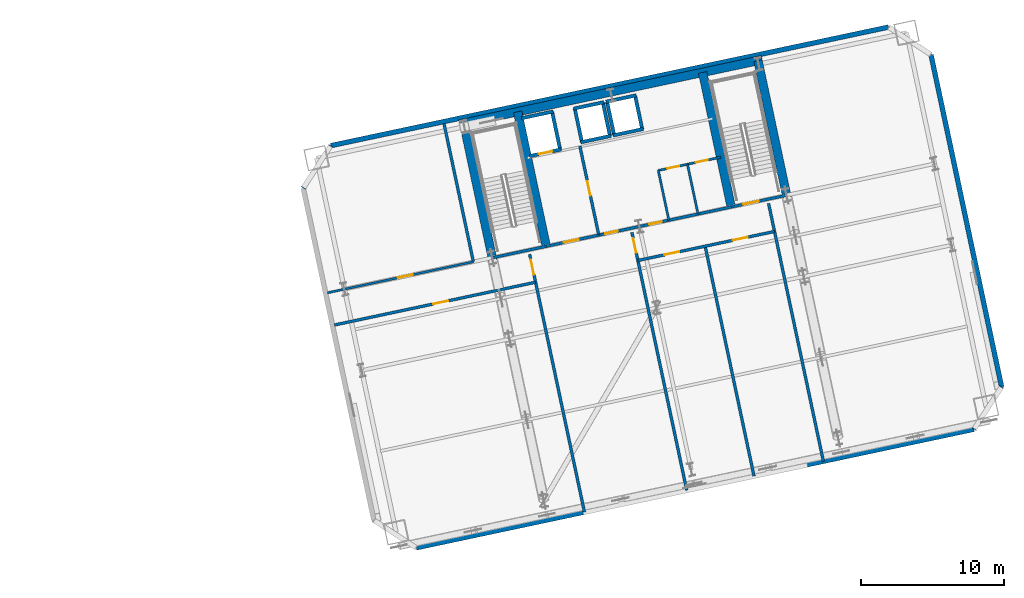
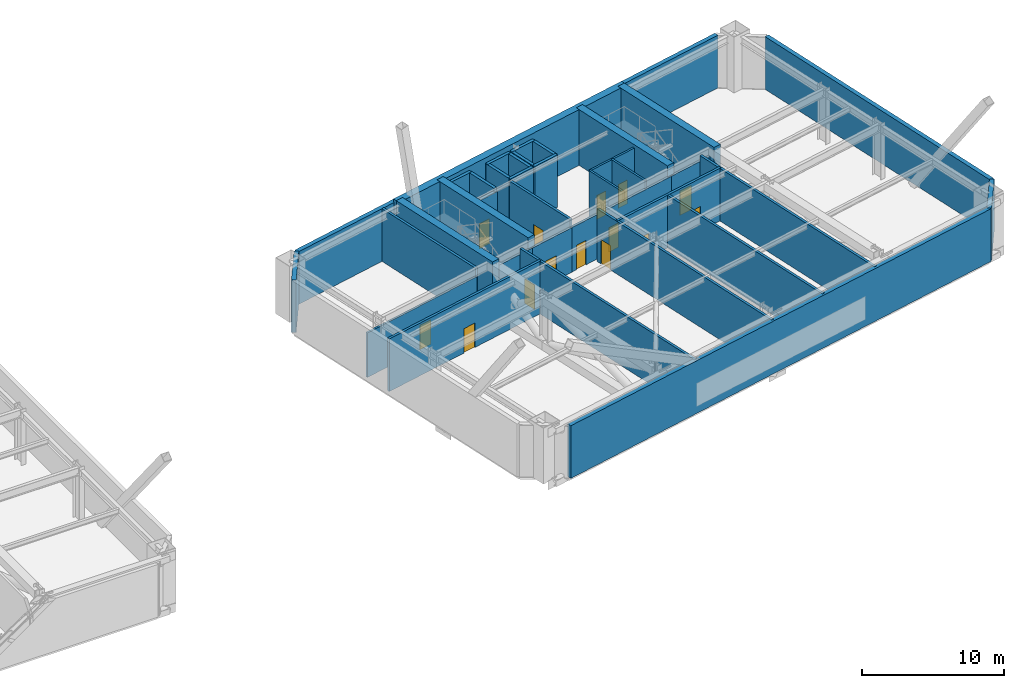
# One storey, part 10 of 17: 37 walls, 14 doors, 14 openings.
"""IFC4 building model written with IfcOpenShell, lengths in metres."""

from ifc_helpers import new_model, si_unit, direction, frame, frame_2d, origin, place, context, subcontext, project, spatial, rectangle, extrude, material, layer, layer_set, type_object, element, fill, save


model = new_model("IFC4")

# Units and contexts
model_context = context("Model", 3, precision=1e-05, world=origin(), true_north=direction((0.0, 1.0)))
body_context = subcontext(model_context, "Body", "Model", "MODEL_VIEW")
ifc_project = project(units=[si_unit("LENGTHUNIT", "METRE"), si_unit("AREAUNIT", "SQUARE_METRE"), si_unit("VOLUMEUNIT", "CUBIC_METRE"), si_unit("PLANEANGLEUNIT", "RADIAN"), si_unit("MASSUNIT", "GRAM", prefix="KILO")], contexts=[model_context])

# Site, building, storey
site_placement = place(None, origin())
site = spatial("IfcSite", under=ifc_project, at=site_placement, CompositionType="ELEMENT")
building_placement = place(site_placement, origin())
building = spatial("IfcBuilding", under=site, at=building_placement, Name="Haevon Station Towers", CompositionType="ELEMENT")
storey_placement = place(building_placement, frame((0.0, 0.0, 81.89990234375)))
storey = spatial("IfcBuildingStorey", under=building, at=storey_placement, Name="L21", CompositionType="ELEMENT", Elevation=81.89990234375)

# Wall
ifc_material_1 = material(Name="Gypsum board on steel stud", Category="steel")
ifc_layer_1 = layer(ifc_material_1, 0.199951171875)
ifc_layer_set_1 = layer_set([ifc_layer_1], Name="Gypsum board on steel stud")
wall_type_1 = type_object("IfcWallType", Name="WL-COR200", PredefinedType="PARTITIONING", material=ifc_layer_set_1)
wall_1_placement = place(storey_placement, frame((98.75244140625, 37.4423828125, 0.0), z_axis=(0.0, 0.0, 1.0), x_axis=(0.978143537786, 0.207930804564, 0.0)))
element("IfcWall", 1, at=wall_1_placement, inside=storey, type_object=wall_type_1, Name="WL-ST-ST3-L21", PredefinedType="PARTITIONING", context=body_context, shape_type="SweptSolid", body=[
    extrude(rectangle(XDim=3.85009765625, YDim=0.199951171875, at=frame_2d((1.925048828125, 0.0))), origin(), (0.0, 0.0, 1.0), 3.830078125),
])

# Wall, opening, door
wall_2_placement = place(storey_placement, frame((115.4296875, 40.9873046875, 0.0), z_axis=(0.0, 0.0, 1.0), x_axis=(0.978146596989, 0.207916413008, 0.0)))
wall_2 = element("IfcWall", 2, at=wall_2_placement, inside=storey, type_object=wall_type_1, Name="WL-ST-ST4-L21", PredefinedType="PARTITIONING", context=body_context, shape_type="SweptSolid", body=[
    extrude(rectangle(XDim=3.9501953125, YDim=0.199951171875, at=frame_2d((1.97509765625, 0.0))), origin(), (0.0, 0.0, 1.0), 3.830078125),
])
opening_1_placement = place(wall_2_placement, frame((0.85009765625, 0.0, 0.0)))
opening_1 = element("IfcOpeningElement", 3, at=opening_1_placement, cuts=wall_2, Name="Opening DR-ST-ST4-L21", PredefinedType="OPENING", context=body_context, shape_type="SweptSolid", body=[
    extrude(rectangle(XDim=1.1201171875, YDim=2.10009765625, at=frame_2d((0.56005859375, 1.050048828125))), frame((0.0, 0.10986328125, 0.0), z_axis=(0.0, -1.0, 0.0), x_axis=(1.0, 0.0, 0.0)), (0.0, 0.0, 1.0), 0.219970703125),
])
ifc_material_2 = material(Name="Engineered oak timber", Category="wood")
door_type_1 = type_object("IfcDoorType", Name="DR-ST-1120", OperationType="NOTDEFINED", PredefinedType="DOOR", material=ifc_material_2)
door_1_placement = place(opening_1_placement, origin())
door_1 = element("IfcDoor", 4, at=door_1_placement, inside=storey, type_object=door_type_1, Name="L21 Escape Stair ST4 Fire Door", OperationType="SINGLE_SWING_LEFT", OverallHeight=2.10009765625, OverallWidth=1.1201171875, PredefinedType="DOOR", context=body_context, shape_type="SweptSolid", body=[
    extrude(rectangle(XDim=1.1201171875, YDim=2.10009765625, at=frame_2d((0.56005859375, 1.050048828125))), frame((0.0, 0.02490234375, 0.0), z_axis=(0.0, -1.0, 0.0), x_axis=(1.0, 0.0, 0.0)), (0.0, 0.0, 1.0), 0.050048828125),
])
fill(opening_1, door_1)

wall_3_placement = place(storey_placement, frame((106.186279296875, 39.0224609375, 0.0), z_axis=(0.0, 0.0, 1.0), x_axis=(-0.207916691923, 0.978146537703, 0.0)))
wall_3 = element("IfcWall", 5, at=wall_3_placement, inside=storey, type_object=wall_type_1, Name="WL-T2FFL-L21-E", PredefinedType="PARTITIONING", context=body_context, shape_type="SweptSolid", body=[
    extrude(rectangle(XDim=6.35009765625, YDim=0.199951171875, at=frame_2d((3.175048828125, 0.0))), origin(), (0.0, 0.0, 1.0), 4.530029296875),
])
opening_2_placement = place(wall_3_placement, frame((2.800048828125, 0.0, 0.0)))
opening_2 = element("IfcOpeningElement", 6, at=opening_2_placement, cuts=wall_3, Name="Opening DR-T2FFL-L21-E", PredefinedType="OPENING", context=body_context, shape_type="SweptSolid", body=[
    extrude(rectangle(XDim=1.050048828125, YDim=2.10009765625, at=frame_2d((0.52490234375, 1.050048828125))), frame((0.0, 0.10986328125, 0.0), z_axis=(0.0, -1.0, 0.0), x_axis=(1.0, 0.0, 0.0)), (0.0, 0.0, 1.0), 0.219970703125),
])
door_type_2 = type_object("IfcDoorType", Name="DR-FD60-1050", OperationType="NOTDEFINED", PredefinedType="DOOR", material=ifc_material_2)
door_2_placement = place(opening_2_placement, origin())
door_2 = element("IfcDoor", 7, at=door_2_placement, inside=storey, type_object=door_type_2, Name="L21 Tower 2 Firefighting Lift Lobby Door E", OperationType="SINGLE_SWING_RIGHT", OverallHeight=2.10009765625, OverallWidth=1.050048828125, PredefinedType="DOOR", context=body_context, shape_type="SweptSolid", body=[
    extrude(rectangle(XDim=1.050048828125, YDim=2.10009765625, at=frame_2d((0.52490234375, 1.050048828125))), frame((0.0, 0.02490234375, 0.0), z_axis=(0.0, -1.0, 0.0), x_axis=(1.0, 0.0, 0.0)), (0.0, 0.0, 1.0), 0.050048828125),
])
fill(opening_2, door_2)

wall_4_placement = place(storey_placement, frame((102.518310546875, 38.242919921875, 0.0), z_axis=(0.0, 0.0, 1.0), x_axis=(0.978153555683, 0.20788367301, 0.0)))
wall_4 = element("IfcWall", 8, at=wall_4_placement, inside=storey, type_object=wall_type_1, Name="WL-T2FFL-L21-S", PredefinedType="PARTITIONING", context=body_context, shape_type="SweptSolid", body=[
    extrude(rectangle(XDim=3.75, YDim=0.199951171875, at=frame_2d((1.875, 0.0))), origin(), (0.0, 0.0, 1.0), 3.830078125),
])
opening_3_placement = place(wall_4_placement, frame((1.25, 0.0, 0.0)))
opening_3 = element("IfcOpeningElement", 9, at=opening_3_placement, cuts=wall_4, Name="Opening DR-T2FFL-L21-S", PredefinedType="OPENING", context=body_context, shape_type="SweptSolid", body=[
    extrude(rectangle(XDim=1.050048828125, YDim=2.10009765625, at=frame_2d((0.52490234375, 1.050048828125))), frame((0.0, 0.10986328125, 0.0), z_axis=(0.0, -1.0, 0.0), x_axis=(1.0, 0.0, 0.0)), (0.0, 0.0, 1.0), 0.219970703125),
])
door_3_placement = place(opening_3_placement, origin())
door_3 = element("IfcDoor", 10, at=door_3_placement, inside=storey, type_object=door_type_2, Name="L21 Tower 2 Firefighting Lift Lobby Door S", OperationType="SINGLE_SWING_LEFT", OverallHeight=2.10009765625, OverallWidth=1.050048828125, PredefinedType="DOOR", context=body_context, shape_type="SweptSolid", body=[
    extrude(rectangle(XDim=1.050048828125, YDim=2.10009765625, at=frame_2d((0.52490234375, 1.050048828125))), frame((0.0, 0.02490234375, 0.0), z_axis=(0.0, -1.0, 0.0), x_axis=(1.0, 0.0, 0.0)), (0.0, 0.0, 1.0), 0.050048828125),
])
fill(opening_3, door_3)

# Wall, openings, doors
wall_5_placement = place(storey_placement, frame((106.186279296875, 39.0224609375, 0.0), z_axis=(0.0, 0.0, 1.0), x_axis=(0.978145519981, 0.20792147975, 0.0)))
wall_5 = element("IfcWall", 11, at=wall_5_placement, inside=storey, type_object=wall_type_1, Name="WL-T2CLB-L21", PredefinedType="PARTITIONING", context=body_context, shape_type="SweptSolid", body=[
    extrude(rectangle(XDim=9.449951171875, YDim=0.199951171875, at=frame_2d((4.72509765625, 0.0))), origin(), (0.0, 0.0, 1.0), 3.830078125),
])
opening_4_placement = place(wall_5_placement, frame((0.449951171875, 0.0, 0.0)))
opening_4 = element("IfcOpeningElement", 12, at=opening_4_placement, cuts=wall_5, Name="Opening DR-T2CLB-L21-1", PredefinedType="OPENING", context=body_context, shape_type="SweptSolid", body=[
    extrude(rectangle(XDim=0.89990234375, YDim=2.10009765625, at=frame_2d((0.449951171875, 1.050048828125))), frame((0.0, 0.10986328125, 0.0), z_axis=(0.0, -1.0, 0.0), x_axis=(1.0, 0.0, 0.0)), (0.0, 0.0, 1.0), 0.219970703125),
])
opening_5_placement = place(wall_5_placement, frame((3.60009765625, 0.0, 0.0)))
opening_5 = element("IfcOpeningElement", 13, at=opening_5_placement, cuts=wall_5, Name="Opening DR-T2CLB-L21-2", PredefinedType="OPENING", context=body_context, shape_type="SweptSolid", body=[
    extrude(rectangle(XDim=0.89990234375, YDim=2.10009765625, at=frame_2d((0.449951171875, 1.050048828125))), frame((0.0, 0.10986328125, 0.0), z_axis=(0.0, -1.0, 0.0), x_axis=(1.0, 0.0, 0.0)), (0.0, 0.0, 1.0), 0.219970703125),
])
door_type_3 = type_object("IfcDoorType", Name="DR-FD60-900", OperationType="NOTDEFINED", PredefinedType="DOOR", material=ifc_material_2)
door_4_placement = place(opening_4_placement, origin())
door_4 = element("IfcDoor", 14, at=door_4_placement, inside=storey, type_object=door_type_3, Name="L21 Tower 2 Core Lift Lobby Door 1", OperationType="SINGLE_SWING_RIGHT", OverallHeight=2.10009765625, OverallWidth=0.89990234375, PredefinedType="DOOR", context=body_context, shape_type="SweptSolid", body=[
    extrude(rectangle(XDim=0.89990234375, YDim=2.10009765625, at=frame_2d((0.449951171875, 1.050048828125))), frame((0.0, 0.02490234375, 0.0), z_axis=(0.0, -1.0, 0.0), x_axis=(1.0, 0.0, 0.0)), (0.0, 0.0, 1.0), 0.050048828125),
])
fill(opening_4, door_4)
door_5_placement = place(opening_5_placement, origin())
door_5 = element("IfcDoor", 15, at=door_5_placement, inside=storey, type_object=door_type_3, Name="L21 Tower 2 Core Lift Lobby Door 2", OperationType="SINGLE_SWING_LEFT", OverallHeight=2.10009765625, OverallWidth=0.89990234375, PredefinedType="DOOR", context=body_context, shape_type="SweptSolid", body=[
    extrude(rectangle(XDim=0.89990234375, YDim=2.10009765625, at=frame_2d((0.449951171875, 1.050048828125))), frame((0.0, 0.02490234375, 0.0), z_axis=(0.0, -1.0, 0.0), x_axis=(1.0, 0.0, 0.0)), (0.0, 0.0, 1.0), 0.050048828125),
])
fill(opening_5, door_5)

# Wall
wall_6_placement = place(storey_placement, frame((97.431884765625, 37.16162109375, 0.0), z_axis=(0.0, 0.0, 1.0), x_axis=(-0.207915613651, 0.978146766902, 0.0)))
element("IfcWall", 16, at=wall_6_placement, inside=storey, type_object=wall_type_1, Name="WL-T2PT-L21-02", PredefinedType="PARTITIONING", context=body_context, shape_type="SweptSolid", body=[
    extrude(rectangle(XDim=9.860107421875, YDim=0.199951171875, at=frame_2d((4.93017578125, 0.0))), origin(), (0.0, 0.0, 1.0), 4.530029296875),
])

# Wall, opening, door
wall_7_placement = place(storey_placement, frame((87.7275390625, 32.74755859375, 0.0), z_axis=(0.0, 0.0, 1.0), x_axis=(0.978147658346, 0.207911419775, 0.0)))
wall_7 = element("IfcWall", 17, at=wall_7_placement, inside=storey, type_object=wall_type_1, Name="WL-T2PT-L21-03", PredefinedType="PARTITIONING", context=body_context, shape_type="SweptSolid", body=[
    extrude(rectangle(XDim=14.35986328125, YDim=0.199951171875, at=frame_2d((7.179931640625, 0.0))), origin(), (0.0, 0.0, 1.0), 4.530029296875),
])
opening_6_placement = place(wall_7_placement, frame((7.06005859375, 0.0, 0.0)))
opening_6 = element("IfcOpeningElement", 18, at=opening_6_placement, cuts=wall_7, Name="Opening DR-WL-T2PT-L21-03-01", PredefinedType="OPENING", context=body_context, shape_type="SweptSolid", body=[
    extrude(rectangle(XDim=1.050048828125, YDim=2.10009765625, at=frame_2d((0.52490234375, 1.050048828125))), frame((0.0, 0.10986328125, 0.0), z_axis=(0.0, -1.0, 0.0), x_axis=(1.0, 0.0, 0.0)), (0.0, 0.0, 1.0), 0.219970703125),
])
door_6_placement = place(opening_6_placement, origin())
door_6 = element("IfcDoor", 19, at=door_6_placement, inside=storey, type_object=door_type_2, Name="L21 Tower 2 Room Door 3-1", OperationType="SINGLE_SWING_LEFT", OverallHeight=2.10009765625, OverallWidth=1.050048828125, PredefinedType="DOOR", context=body_context, shape_type="SweptSolid", body=[
    extrude(rectangle(XDim=1.050048828125, YDim=2.10009765625, at=frame_2d((0.52490234375, 1.050048828125))), frame((0.0, 0.02490234375, 0.0), z_axis=(0.0, -1.0, 0.0), x_axis=(1.0, 0.0, 0.0)), (0.0, 0.0, 1.0), 0.050048828125),
])
fill(opening_6, door_6)

wall_8_placement = place(storey_placement, frame((105.18359375, 19.691650390625, 0.0), z_axis=(0.0, 0.0, 1.0), x_axis=(-0.207918582049, 0.978146135932, 0.0)))
wall_8 = element("IfcWall", 20, at=wall_8_placement, inside=storey, type_object=wall_type_1, Name="WL-T2PT-L21-04", PredefinedType="PARTITIONING", context=body_context, shape_type="SweptSolid", body=[
    extrude(rectangle(XDim=18.39990234375, YDim=0.199951171875, at=frame_2d((9.199951171875, 0.0))), origin(), (0.0, 0.0, 1.0), 4.530029296875),
])
opening_7_placement = place(wall_8_placement, frame((16.949951171875, 0.0, 0.0)))
opening_7 = element("IfcOpeningElement", 21, at=opening_7_placement, cuts=wall_8, Name="Opening DR-WL-T2PT-L21-04-01", PredefinedType="OPENING", context=body_context, shape_type="SweptSolid", body=[
    extrude(rectangle(XDim=1.050048828125, YDim=2.10009765625, at=frame_2d((0.52490234375, 1.050048828125))), frame((0.0, 0.10986328125, 0.0), z_axis=(0.0, -1.0, 0.0), x_axis=(1.0, 0.0, 0.0)), (0.0, 0.0, 1.0), 0.219970703125),
])
door_7_placement = place(opening_7_placement, origin())
door_7 = element("IfcDoor", 22, at=door_7_placement, inside=storey, type_object=door_type_2, Name="L21 Tower 2 Room Door 4-1", OperationType="SINGLE_SWING_RIGHT", OverallHeight=2.10009765625, OverallWidth=1.050048828125, PredefinedType="DOOR", context=body_context, shape_type="SweptSolid", body=[
    extrude(rectangle(XDim=1.050048828125, YDim=2.10009765625, at=frame_2d((0.52490234375, 1.050048828125))), frame((0.0, 0.02490234375, 0.0), z_axis=(0.0, -1.0, 0.0), x_axis=(1.0, 0.0, 0.0)), (0.0, 0.0, 1.0), 0.050048828125),
])
fill(opening_7, door_7)

wall_9_placement = place(storey_placement, frame((112.323974609375, 21.20947265625, 0.0), z_axis=(0.0, 0.0, 1.0), x_axis=(-0.207918582049, 0.978146135932, 0.0)))
wall_9 = element("IfcWall", 23, at=wall_9_placement, inside=storey, type_object=wall_type_1, Name="WL-T2PT-L21-05", PredefinedType="PARTITIONING", context=body_context, shape_type="SweptSolid", body=[
    extrude(rectangle(XDim=18.39990234375, YDim=0.199951171875, at=frame_2d((9.199951171875, 0.0))), origin(), (0.0, 0.0, 1.0), 4.530029296875),
])
opening_8_placement = place(wall_9_placement, frame((16.949951171875, 0.0, 0.0)))
opening_8 = element("IfcOpeningElement", 24, at=opening_8_placement, cuts=wall_9, Name="Opening DR-WL-T2PT-L21-05-01", PredefinedType="OPENING", context=body_context, shape_type="SweptSolid", body=[
    extrude(rectangle(XDim=1.050048828125, YDim=2.10009765625, at=frame_2d((0.52490234375, 1.050048828125))), frame((0.0, 0.10986328125, 0.0), z_axis=(0.0, -1.0, 0.0), x_axis=(1.0, 0.0, 0.0)), (0.0, 0.0, 1.0), 0.219970703125),
])
door_8_placement = place(opening_8_placement, origin())
door_8 = element("IfcDoor", 25, at=door_8_placement, inside=storey, type_object=door_type_2, Name="L21 Tower 2 Room Door 5-1", OperationType="SINGLE_SWING_LEFT", OverallHeight=2.10009765625, OverallWidth=1.050048828125, PredefinedType="DOOR", context=body_context, shape_type="SweptSolid", body=[
    extrude(rectangle(XDim=1.050048828125, YDim=2.10009765625, at=frame_2d((0.52490234375, 1.050048828125))), frame((0.0, 0.02490234375, 0.0), z_axis=(0.0, -1.0, 0.0), x_axis=(1.0, 0.0, 0.0)), (0.0, 0.0, 1.0), 0.050048828125),
])
fill(opening_8, door_8)

# Wall
wall_10_placement = place(storey_placement, frame((117.01904296875, 22.207275390625, 0.0), z_axis=(0.0, 0.0, 1.0), x_axis=(-0.207905224515, 0.978148975167, 0.0)))
element("IfcWall", 26, at=wall_10_placement, inside=storey, type_object=wall_type_1, Name="WL-T2PT-L21-06", PredefinedType="PARTITIONING", context=body_context, shape_type="SweptSolid", body=[
    extrude(rectangle(XDim=16.400146484375, YDim=0.199951171875, at=frame_2d((8.2001953125, 0.0))), origin(), (0.0, 0.0, 1.0), 4.530029296875),
])

# Wall, openings, doors
wall_11_placement = place(storey_placement, frame((108.914306640625, 37.2509765625, 0.0), z_axis=(0.0, 0.0, 1.0), x_axis=(0.978148094533, 0.20790936766, 0.0)))
wall_11 = element("IfcWall", 27, at=wall_11_placement, inside=storey, type_object=wall_type_1, Name="WL-T2PT-L21-07", PredefinedType="PARTITIONING", context=body_context, shape_type="SweptSolid", body=[
    extrude(rectangle(XDim=9.75, YDim=0.199951171875, at=frame_2d((4.875, 0.0))), origin(), (0.0, 0.0, 1.0), 4.530029296875),
])
opening_9_placement = place(wall_11_placement, frame((1.89990234375, 0.0, 0.0)))
opening_9 = element("IfcOpeningElement", 28, at=opening_9_placement, cuts=wall_11, Name="Opening DR-WL-T2PT-L21-07-01", PredefinedType="OPENING", context=body_context, shape_type="SweptSolid", body=[
    extrude(rectangle(XDim=1.050048828125, YDim=2.10009765625, at=frame_2d((0.52490234375, 1.050048828125))), frame((0.0, 0.10986328125, 0.0), z_axis=(0.0, -1.0, 0.0), x_axis=(1.0, 0.0, 0.0)), (0.0, 0.0, 1.0), 0.219970703125),
])
opening_10_placement = place(wall_11_placement, frame((6.77490234375, 0.0, 0.0)))
opening_10 = element("IfcOpeningElement", 29, at=opening_10_placement, cuts=wall_11, Name="Opening DR-WL-T2PT-L21-07-02", PredefinedType="OPENING", context=body_context, shape_type="SweptSolid", body=[
    extrude(rectangle(XDim=1.050048828125, YDim=2.10009765625, at=frame_2d((0.52490234375, 1.050048828125))), frame((0.0, 0.10986328125, 0.0), z_axis=(0.0, -1.0, 0.0), x_axis=(1.0, 0.0, 0.0)), (0.0, 0.0, 1.0), 0.219970703125),
])
door_9_placement = place(opening_9_placement, origin())
door_9 = element("IfcDoor", 30, at=door_9_placement, inside=storey, type_object=door_type_2, Name="L21 Tower 2 Room Door 7-1", OperationType="SINGLE_SWING_RIGHT", OverallHeight=2.10009765625, OverallWidth=1.050048828125, PredefinedType="DOOR", context=body_context, shape_type="SweptSolid", body=[
    extrude(rectangle(XDim=1.050048828125, YDim=2.10009765625, at=frame_2d((0.52490234375, 1.050048828125))), frame((0.0, 0.02490234375, 0.0), z_axis=(0.0, -1.0, 0.0), x_axis=(1.0, 0.0, 0.0)), (0.0, 0.0, 1.0), 0.050048828125),
])
fill(opening_9, door_9)
door_10_placement = place(opening_10_placement, origin())
door_10 = element("IfcDoor", 31, at=door_10_placement, inside=storey, type_object=door_type_2, Name="L21 Tower 2 Room Door 7-2", OperationType="SINGLE_SWING_LEFT", OverallHeight=2.10009765625, OverallWidth=1.050048828125, PredefinedType="DOOR", context=body_context, shape_type="SweptSolid", body=[
    extrude(rectangle(XDim=1.050048828125, YDim=2.10009765625, at=frame_2d((0.52490234375, 1.050048828125))), frame((0.0, 0.02490234375, 0.0), z_axis=(0.0, -1.0, 0.0), x_axis=(1.0, 0.0, 0.0)), (0.0, 0.0, 1.0), 0.050048828125),
])
fill(opening_10, door_10)

# Walls
wall_12_placement = place(storey_placement, frame((121.86083984375, 23.236572265625, 0.0), z_axis=(0.0, 0.0, 1.0), x_axis=(-0.207905887023, 0.97814883435, 0.0)))
element("IfcWall", 32, at=wall_12_placement, inside=storey, type_object=wall_type_1, Name="WL-T2PT-L21-08", PredefinedType="PARTITIONING", context=body_context, shape_type="SweptSolid", body=[
    extrude(rectangle(XDim=18.39990234375, YDim=0.199951171875, at=frame_2d((9.199951171875, 0.0))), origin(), (0.0, 0.0, 1.0), 4.530029296875),
])
ifc_material_3 = material(Name="Concrete C60/75", Category="concrete")
ifc_layer_2 = layer(ifc_material_3, 0.60009765625)
ifc_layer_set_2 = layer_set([ifc_layer_2], Name="Concrete C60/75")
wall_type_2 = type_object("IfcWallType", Name="WL-CR600", PredefinedType="SHEAR", material=ifc_layer_set_2)
wall_13_placement = place(storey_placement, frame((96.462890625, 46.770263671875, 0.0), z_axis=(0.0, 0.0, 1.0), x_axis=(0.978147272959, 0.207913232873, 0.0)))
element("IfcWall", 33, at=wall_13_placement, inside=storey, type_object=wall_type_2, Name="WL-T2CR-L21-N", PredefinedType="SHEAR", context=body_context, shape_type="SweptSolid", body=[
    extrude(rectangle(XDim=21.60009765625, YDim=0.60009765625, at=frame_2d((10.800048828125, 0.0))), origin(), (0.0, 0.0, 1.0), 4.800048828125),
])
wall_14_placement = place(storey_placement, frame((98.8603515625, 36.933837890625, 0.0), z_axis=(0.0, 0.0, 1.0), x_axis=(-0.20790924889, 0.978148119778, 0.0)))
element("IfcWall", 34, at=wall_14_placement, inside=storey, type_object=wall_type_2, Name="WL-T2CR-L21-W", PredefinedType="SHEAR", context=body_context, shape_type="SweptSolid", body=[
    extrude(rectangle(XDim=10.119873046875, YDim=0.60009765625, at=frame_2d((5.06005859375, 0.0))), origin(), (0.0, 0.0, 1.0), 4.800048828125),
])
wall_15_placement = place(storey_placement, frame((119.401611328125, 41.2998046875, 0.0), z_axis=(0.0, 0.0, 1.0), x_axis=(-0.207904342798, 0.978149162575, 0.0)))
element("IfcWall", 35, at=wall_15_placement, inside=storey, type_object=wall_type_2, Name="WL-T2CR-L21-E", PredefinedType="SHEAR", context=body_context, shape_type="SweptSolid", body=[
    extrude(rectangle(XDim=10.1201171875, YDim=0.60009765625, at=frame_2d((5.06005859375, 0.0))), origin(), (0.0, 0.0, 1.0), 4.800048828125),
])
for number, where, z_axis, x_axis, name in (
    (36, (102.518310546875, 38.242919921875, 0.0), (0.0, 0.0, 1.0), (-0.207927495108, 0.978144241295, 0.0), "WL-T2CR-L21-M1"),
    (37, (115.4296875, 40.9873046875, 0.0), (0.0, 0.0, 1.0), (-0.207903162969, 0.978149413345, 0.0), "WL-T2CR-L21-M2"),
):
    element("IfcWall", number, at=place(storey_placement, frame(where, z_axis=z_axis, x_axis=x_axis)), inside=storey, type_object=wall_type_2, Name=name, PredefinedType="SHEAR", context=body_context, shape_type="SweptSolid", body=[
        extrude(rectangle(XDim=9.599853515625, YDim=0.60009765625, at=frame_2d((4.7998046875, 0.0))), origin(), (0.0, 0.0, 1.0), 4.800048828125),
    ])
ifc_material_4 = material(Name="Precast concrete C45/55", Category="concrete")
ifc_layer_3 = layer(ifc_material_4, 0.340087890625)
ifc_layer_set_3 = layer_set([ifc_layer_3], Name="Precast concrete C45/55")
wall_type_3 = type_object("IfcWallType", Name="WL-EXT-PIER340", PredefinedType="SOLIDWALL", material=ifc_layer_set_3)
wall_16_placement = place(storey_placement, frame((132.3759765625, 25.4716796875, 0.0), z_axis=(0.0, 0.0, 1.0), x_axis=(-0.978147406386, -0.20791260515, 0.0)))
element("IfcWall", 38, at=wall_16_placement, inside=storey, type_object=wall_type_3, Name="WL-T2-L21-S", PredefinedType="SOLIDWALL", context=body_context, shape_type="SweptSolid", body=[
    extrude(rectangle(XDim=39.7998046875, YDim=0.340087890625, at=frame_2d((19.89990234375, 0.0))), origin(), (0.0, 0.0, 1.0), 4.530029296875),
])
wall_17_placement = place(storey_placement, frame((85.552978515625, 42.304443359375, 0.0), z_axis=(0.0, 0.0, 1.0), x_axis=(0.544684921471, 0.838640767148, 0.0)))
element("IfcWall", 39, at=wall_17_placement, inside=storey, type_object=wall_type_3, Name="WL-T2-L21-NWC", PredefinedType="SOLIDWALL", context=body_context, shape_type="SweptSolid", body=[
    extrude(rectangle(XDim=3.53564453125, YDim=0.340087890625, at=frame_2d((1.767822265625, 0.0))), origin(), (0.0, 0.0, 1.0), 4.530029296875),
])
wall_18_placement = place(storey_placement, frame((87.478759765625, 45.26953125, 0.0), z_axis=(0.0, 0.0, 1.0), x_axis=(0.978147406386, 0.20791260515, 0.0)))
element("IfcWall", 40, at=wall_18_placement, inside=storey, type_object=wall_type_3, Name="WL-T2-L21-N", PredefinedType="SOLIDWALL", context=body_context, shape_type="SweptSolid", body=[
    extrude(rectangle(XDim=39.7998046875, YDim=0.340087890625, at=frame_2d((19.89990234375, 0.0))), origin(), (0.0, 0.0, 1.0), 4.530029296875),
])
wall_19_placement = place(storey_placement, frame((129.3740234375, 51.618896484375, 0.0), z_axis=(0.0, 0.0, 1.0), x_axis=(0.20791074704, -0.978147801339, 0.0)))
element("IfcWall", 41, at=wall_19_placement, inside=storey, type_object=wall_type_3, Name="WL-T2-L21-E", PredefinedType="SOLIDWALL", context=body_context, shape_type="SweptSolid", body=[
    extrude(rectangle(XDim=23.699951171875, YDim=0.340087890625, at=frame_2d((11.85009765625, 0.0))), origin(), (0.0, 0.0, 1.0), 4.530029296875),
])
wall_20_placement = place(storey_placement, frame((134.301513671875, 28.436767578125, 0.0), z_axis=(0.0, 0.0, 1.0), x_axis=(-0.544636352948, -0.838672309694, 0.0)))
element("IfcWall", 42, at=wall_20_placement, inside=storey, type_object=wall_type_3, Name="WL-T2-L21-SEC", PredefinedType="SOLIDWALL", context=body_context, shape_type="SweptSolid", body=[
    extrude(rectangle(XDim=3.535400390625, YDim=0.340087890625, at=frame_2d((1.767578125, 0.0))), origin(), (0.0, 0.0, 1.0), 4.530029296875),
])
ifc_layer_4 = layer(ifc_material_1, 0.159912109375)
ifc_layer_set_4 = layer_set([ifc_layer_4], Name="Gypsum board on steel stud")
wall_type_4 = type_object("IfcWallType", Name="WL-PRT160", PredefinedType="PARTITIONING", material=ifc_layer_set_4)
for number, where, z_axis, x_axis, name in (
    (43, (111.076904296875, 40.06201171875, 0.0), (0.0, 0.0, 1.0), (-0.207899058817, 0.978150285663, 0.0), "WL-T2CW-L21-01"),
    (44, (113.111572265625, 40.49462890625, 0.0), (0.0, 0.0, 1.0), (-0.207899058817, 0.978150285663, 0.0), "WL-T2CW-L21-02"),
):
    element("IfcWall", number, at=place(storey_placement, frame(where, z_axis=z_axis, x_axis=x_axis)), inside=storey, type_object=wall_type_4, Name=name, PredefinedType="PARTITIONING", context=body_context, shape_type="SweptSolid", body=[
        extrude(rectangle(XDim=3.550048828125, YDim=0.159912109375, at=frame_2d((1.77490234375, 0.0))), origin(), (0.0, 0.0, 1.0), 4.530029296875),
    ])

# Wall, openings, doors
wall_21_placement = place(storey_placement, frame((110.3388671875, 43.534423828125, 0.0), z_axis=(0.0, 0.0, 1.0), x_axis=(0.978143929138, 0.207928963567, 0.0)))
wall_21 = element("IfcWall", 45, at=wall_21_placement, inside=storey, type_object=wall_type_4, Name="WL-T2CW-L21-03", PredefinedType="PARTITIONING", context=body_context, shape_type="SweptSolid", body=[
    extrude(rectangle(XDim=4.449951171875, YDim=0.159912109375, at=frame_2d((2.22509765625, 0.0))), origin(), (0.0, 0.0, 1.0), 4.530029296875),
])
opening_11_placement = place(wall_21_placement, frame((0.635009765625, 0.0, 0.0)))
opening_11 = element("IfcOpeningElement", 46, at=opening_11_placement, cuts=wall_21, Name="Opening DR-WL-T2CW-L21-03-1", PredefinedType="OPENING", context=body_context, shape_type="SweptSolid", body=[
    extrude(rectangle(XDim=0.85009765625, YDim=2.050048828125, at=frame_2d((0.425048828125, 1.02490234375))), frame((0.0, 0.08984375, 0.0), z_axis=(0.0, -1.0, 0.0), x_axis=(1.0, 0.0, 0.0)), (0.0, 0.0, 1.0), 0.179931640625),
])
opening_12_placement = place(wall_21_placement, frame((2.679931640625, 0.0, 0.0)))
opening_12 = element("IfcOpeningElement", 47, at=opening_12_placement, cuts=wall_21, Name="Opening DR-WL-T2CW-L21-03-2", PredefinedType="OPENING", context=body_context, shape_type="SweptSolid", body=[
    extrude(rectangle(XDim=0.85009765625, YDim=2.050048828125, at=frame_2d((0.425048828125, 1.02490234375))), frame((0.0, 0.08984375, 0.0), z_axis=(0.0, -1.0, 0.0), x_axis=(1.0, 0.0, 0.0)), (0.0, 0.0, 1.0), 0.179931640625),
])
door_type_4 = type_object("IfcDoorType", Name="DR-FD30-850", OperationType="NOTDEFINED", PredefinedType="DOOR", material=ifc_material_2)
door_11_placement = place(opening_11_placement, origin())
door_11 = element("IfcDoor", 48, at=door_11_placement, inside=storey, type_object=door_type_4, Name="L21 Tower 2 Core Room Door 3-1", OperationType="SINGLE_SWING_RIGHT", OverallHeight=2.050048828125, OverallWidth=0.85009765625, PredefinedType="DOOR", context=body_context, shape_type="SweptSolid", body=[
    extrude(rectangle(XDim=0.85009765625, YDim=2.050048828125, at=frame_2d((0.425048828125, 1.02490234375))), frame((0.0, 0.02490234375, 0.0), z_axis=(0.0, -1.0, 0.0), x_axis=(1.0, 0.0, 0.0)), (0.0, 0.0, 1.0), 0.050048828125),
])
fill(opening_11, door_11)
door_12_placement = place(opening_12_placement, origin())
door_12 = element("IfcDoor", 49, at=door_12_placement, inside=storey, type_object=door_type_4, Name="L21 Tower 2 Core Room Door 3-2", OperationType="SINGLE_SWING_LEFT", OverallHeight=2.050048828125, OverallWidth=0.85009765625, PredefinedType="DOOR", context=body_context, shape_type="SweptSolid", body=[
    extrude(rectangle(XDim=0.85009765625, YDim=2.050048828125, at=frame_2d((0.425048828125, 1.02490234375))), frame((0.0, 0.02490234375, 0.0), z_axis=(0.0, -1.0, 0.0), x_axis=(1.0, 0.0, 0.0)), (0.0, 0.0, 1.0), 0.050048828125),
])
fill(opening_12, door_12)

# Wall, opening, door
wall_22_placement = place(storey_placement, frame((87.249267578125, 34.997314453125, 0.0), z_axis=(0.0, 0.0, 1.0), x_axis=(0.978149074825, 0.207904755642, 0.0)))
wall_22 = element("IfcWall", 50, at=wall_22_placement, inside=storey, type_object=wall_type_4, Name="WL-T2PT-L21-01", PredefinedType="PARTITIONING", context=body_context, shape_type="SweptSolid", body=[
    extrude(rectangle(XDim=10.41015625, YDim=0.159912109375, at=frame_2d((5.205078125, 0.0))), origin(), (0.0, 0.0, 1.0), 3.830078125),
])
opening_13_placement = place(wall_22_placement, frame((5.034912109375, 0.0, 0.0)))
opening_13 = element("IfcOpeningElement", 51, at=opening_13_placement, cuts=wall_22, Name="Opening DR-WL-T2PT-L21-01-01", PredefinedType="OPENING", context=body_context, shape_type="SweptSolid", body=[
    extrude(rectangle(XDim=1.050048828125, YDim=2.10009765625, at=frame_2d((0.52490234375, 1.050048828125))), frame((0.0, 0.08984375, 0.0), z_axis=(0.0, -1.0, 0.0), x_axis=(1.0, 0.0, 0.0)), (0.0, 0.0, 1.0), 0.179931640625),
])
door_13_placement = place(opening_13_placement, origin())
door_13 = element("IfcDoor", 52, at=door_13_placement, inside=storey, type_object=door_type_2, Name="L21 Tower 2 Room Door 1-1", OperationType="SINGLE_SWING_RIGHT", OverallHeight=2.10009765625, OverallWidth=1.050048828125, PredefinedType="DOOR", context=body_context, shape_type="SweptSolid", body=[
    extrude(rectangle(XDim=1.050048828125, YDim=2.10009765625, at=frame_2d((0.52490234375, 1.050048828125))), frame((0.0, 0.02490234375, 0.0), z_axis=(0.0, -1.0, 0.0), x_axis=(1.0, 0.0, 0.0)), (0.0, 0.0, 1.0), 0.050048828125),
])
fill(opening_13, door_13)

ifc_material_5 = material(Name="Concrete C40/50", Category="concrete")
ifc_layer_5 = layer(ifc_material_5, 0.239990234375)
ifc_layer_set_5 = layer_set([ifc_layer_5], Name="Concrete C40/50")
wall_type_5 = type_object("IfcWallType", Name="WL-SHF240", PredefinedType="PARTITIONING", material=ifc_layer_set_5)
wall_23_placement = place(storey_placement, frame((101.353759765625, 44.538330078125, 0.0), z_axis=(0.0, 0.0, 1.0), x_axis=(0.978141002414, 0.207942731049, 0.0)))
wall_23 = element("IfcWall", 53, at=wall_23_placement, inside=storey, type_object=wall_type_5, Name="WL-SHF-FL2-L21", PredefinedType="PARTITIONING", context=body_context, shape_type="SweptSolid", body=[
    extrude(rectangle(XDim=2.260009765625, YDim=0.239990234375, at=frame_2d((1.1298828125, 0.0))), origin(), (0.0, 0.0, 1.0), 4.22998046875),
])
opening_14_placement = place(wall_23_placement, frame((0.655029296875, 0.0, 0.0)))
opening_14 = element("IfcOpeningElement", 54, at=opening_14_placement, cuts=wall_23, Name="Opening LD-FL2-L21", PredefinedType="OPENING", context=body_context, shape_type="SweptSolid", body=[
    extrude(rectangle(XDim=0.949951171875, YDim=2.14990234375, at=frame_2d((0.47509765625, 1.074951171875))), frame((0.0, 0.1298828125, 0.0), z_axis=(0.0, -1.0, 0.0), x_axis=(1.0, 0.0, 0.0)), (0.0, 0.0, 1.0), 0.260009765625),
])
ifc_material_6 = material(Name="Stainless steel and rated core", Category="steel")
door_type_5 = type_object("IfcDoorType", Name="LD-FL950", OperationType="SLIDING_TO_LEFT", PredefinedType="DOOR", material=ifc_material_6)
door_14_placement = place(opening_14_placement, origin())
door_14 = element("IfcDoor", 55, at=door_14_placement, inside=storey, type_object=door_type_5, Name="L21 Lift FL2 Sliding Landing Door", OperationType="SLIDING_TO_LEFT", OverallHeight=2.14990234375, OverallWidth=0.949951171875, PredefinedType="DOOR", context=body_context, shape_type="SweptSolid", body=[
    extrude(rectangle(XDim=0.949951171875, YDim=2.14990234375, at=frame_2d((0.47509765625, 1.074951171875))), frame((0.0, 0.02490234375, 0.0), z_axis=(0.0, -1.0, 0.0), x_axis=(1.0, 0.0, 0.0)), (0.0, 0.0, 1.0), 0.050048828125),
])
fill(opening_14, door_14)

# Walls
wall_24_placement = place(storey_placement, frame((100.79248046875, 47.179443359375, 0.0), z_axis=(0.0, 0.0, 1.0), x_axis=(0.978162968872, 0.207839376268, 0.0)))
element("IfcWall", 56, at=wall_24_placement, inside=storey, type_object=wall_type_5, Name="WL-SHF-FL2-L21-N", PredefinedType="PARTITIONING", context=body_context, shape_type="SweptSolid", body=[
    extrude(rectangle(XDim=2.260009765625, YDim=0.239990234375, at=frame_2d((1.1298828125, 0.0))), origin(), (0.0, 0.0, 1.0), 4.530029296875),
])
wall_25_placement = place(storey_placement, frame((103.486328125, 44.99169921875, 0.0), z_axis=(0.0, 0.0, 1.0), x_axis=(-0.207978798957, 0.978133334052, 0.0)))
element("IfcWall", 57, at=wall_25_placement, inside=storey, type_object=wall_type_5, Name="WL-SHF-FL2-L21-E", PredefinedType="PARTITIONING", context=body_context, shape_type="SweptSolid", body=[
    extrude(rectangle(XDim=2.699951171875, YDim=0.239990234375, at=frame_2d((1.35009765625, 0.0))), origin(), (0.0, 0.0, 1.0), 4.530029296875),
])
for number, where, z_axis, x_axis, name in (
    (58, (104.931396484375, 45.503173828125, 0.0), (0.0, 0.0, 1.0), (0.97813528961, 0.207969601673, 0.0), "WL-SHF-PL7-L21"),
    (59, (104.432373046875, 47.850830078125, 0.0), (0.0, 0.0, 1.0), (0.978158276388, 0.207861459473, 0.0), "WL-SHF-PL7-L21-N"),
):
    element("IfcWall", number, at=place(storey_placement, frame(where, z_axis=z_axis, x_axis=x_axis)), inside=storey, type_object=wall_type_5, Name=name, PredefinedType="PARTITIONING", context=body_context, shape_type="SweptSolid", body=[
        extrude(rectangle(XDim=2.159912109375, YDim=0.239990234375, at=frame_2d((1.080078125, 0.0))), origin(), (0.0, 0.0, 1.0), 4.530029296875),
    ])
wall_26_placement = place(storey_placement, frame((105.009765625, 45.519775390625, 0.0), z_axis=(0.0, 0.0, 1.0), x_axis=(-0.207917150959, 0.978146440129, 0.0)))
element("IfcWall", 60, at=wall_26_placement, inside=storey, type_object=wall_type_5, Name="WL-SHF-PL7-L21-W", PredefinedType="PARTITIONING", context=body_context, shape_type="SweptSolid", body=[
    extrude(rectangle(XDim=2.400146484375, YDim=0.239990234375, at=frame_2d((1.2001953125, 0.0))), origin(), (0.0, 0.0, 1.0), 4.530029296875),
])
wall_27_placement = place(storey_placement, frame((106.966064453125, 45.935791015625, 0.0), z_axis=(0.0, 0.0, 1.0), x_axis=(-0.207937840262, 0.978142042133, 0.0)))
element("IfcWall", 61, at=wall_27_placement, inside=storey, type_object=wall_type_5, Name="WL-SHF-PL7-L21-E", PredefinedType="PARTITIONING", context=body_context, shape_type="SweptSolid", body=[
    extrude(rectangle(XDim=2.39990234375, YDim=0.239990234375, at=frame_2d((1.199951171875, 0.0))), origin(), (0.0, 0.0, 1.0), 4.530029296875),
])
for number, where, z_axis, x_axis, name in (
    (62, (107.18115234375, 45.9814453125, 0.0), (0.0, 0.0, 1.0), (0.97813528961, 0.207969601673, 0.0), "WL-SHF-PL8-L21"),
    (63, (106.68212890625, 48.3291015625, 0.0), (0.0, 0.0, 1.0), (0.978158276388, 0.207861459473, 0.0), "WL-SHF-PL8-L21-N"),
):
    element("IfcWall", number, at=place(storey_placement, frame(where, z_axis=z_axis, x_axis=x_axis)), inside=storey, type_object=wall_type_5, Name=name, PredefinedType="PARTITIONING", context=body_context, shape_type="SweptSolid", body=[
        extrude(rectangle(XDim=2.159912109375, YDim=0.239990234375, at=frame_2d((1.080078125, 0.0))), origin(), (0.0, 0.0, 1.0), 4.530029296875),
    ])
for number, where, z_axis, x_axis, name in (
    (64, (107.259521484375, 45.998046875, 0.0), (0.0, 0.0, 1.0), (-0.207917150959, 0.978146440129, 0.0), "WL-SHF-PL8-L21-W"),
    (65, (109.2158203125, 46.413818359375, 0.0), (0.0, 0.0, 1.0), (-0.207917150959, 0.978146440129, 0.0), "WL-SHF-PL8-L21-E"),
):
    element("IfcWall", number, at=place(storey_placement, frame(where, z_axis=z_axis, x_axis=x_axis)), inside=storey, type_object=wall_type_5, Name=name, PredefinedType="PARTITIONING", context=body_context, shape_type="SweptSolid", body=[
        extrude(rectangle(XDim=2.400146484375, YDim=0.239990234375, at=frame_2d((1.2001953125, 0.0))), origin(), (0.0, 0.0, 1.0), 4.530029296875),
    ])

save(model, "model.ifc")
